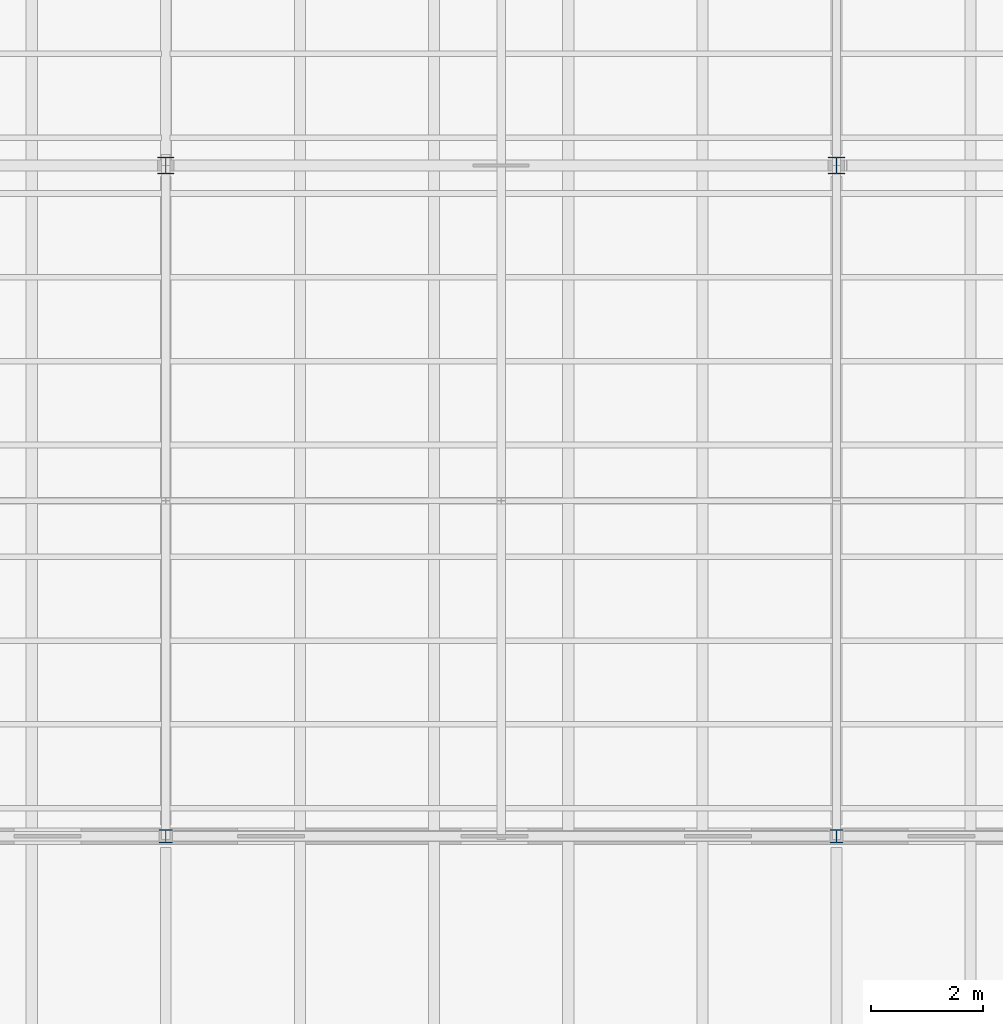
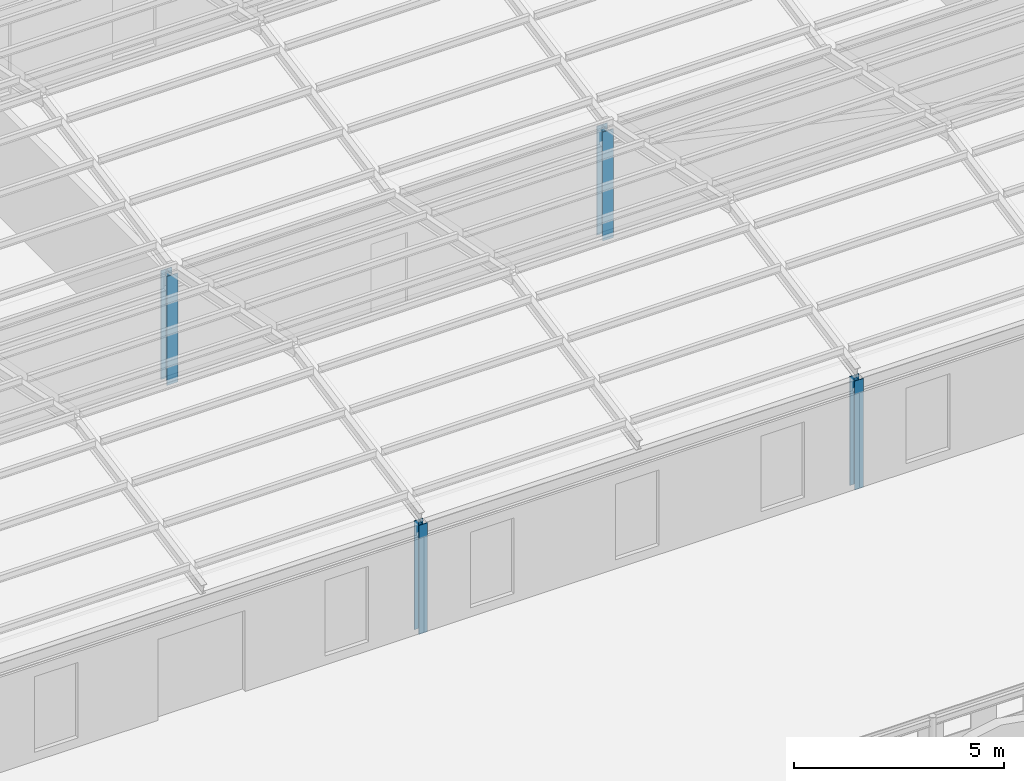
# One storey, part 2 of 91: 4 columns.
"""IFC4 building model written with IfcOpenShell, lengths in metres."""

from ifc_helpers import new_model, si_unit, direction, frame, origin, origin_2d, place, context, subcontext, project, spatial, i_section, extrude, material, material_profile, profile_set, type_object, element, save


model = new_model("IFC4")

# Units and contexts
model_context = context("Model", 3, precision=1e-05, world=origin(), true_north=direction((0.0, 1.0)))
body_context = subcontext(model_context, "Body", "Model", "MODEL_VIEW")
ifc_project = project(units=[si_unit("LENGTHUNIT", "METRE"), si_unit("AREAUNIT", "SQUARE_METRE"), si_unit("VOLUMEUNIT", "CUBIC_METRE"), si_unit("PLANEANGLEUNIT", "RADIAN"), si_unit("MASSUNIT", "GRAM", prefix="KILO")], contexts=[model_context])

# Site, building, storey
site_placement = place(None, origin())
site = spatial("IfcSite", under=ifc_project, at=site_placement, CompositionType="ELEMENT")
building_placement = place(site_placement, origin())
building = spatial("IfcBuilding", under=site, at=building_placement, Name="Ravi Spectrum Wholesale Market", CompositionType="ELEMENT")
storey_placement = place(building_placement, frame((0.0, 0.0, 16.199951171875)))
storey = spatial("IfcBuildingStorey", under=building, at=storey_placement, Name="ROOF PLANT LEVEL", CompositionType="ELEMENT", Elevation=16.199951171875)

# Columns
ifc_material_1 = material(Name="Steel S355", Category="steel")
ifc_material_profile_1 = material_profile(ifc_material_1, i_section(OverallWidth=0.239990234375, OverallDepth=0.239990234375, WebThickness=0.010009765625, FlangeThickness=0.01708984375, at=origin_2d()))
ifc_profile_set_1 = profile_set([ifc_material_profile_1], Name="Steel S355")
column_type_1 = type_object("IfcColumnType", Name="HEB 240 column", PredefinedType="COLUMN", material=ifc_profile_set_1)
for number, where, z_axis, x_axis, name in (
    (1, (246.0, 30.0, 0.0), (0.0, 0.0, 1.0), (1.0, 0.0, 0.0), "CS-COL-ROOF-010"),
    (2, (258.0, 30.0, 0.0), (0.0, 0.0, 1.0), (1.0, 0.0, 0.0), "CS-COL-ROOF-013"),
):
    element("IfcColumn", number, at=place(storey_placement, frame(where, z_axis=z_axis, x_axis=x_axis)), inside=storey, type_object=column_type_1, Name=name, PredefinedType="COLUMN", context=body_context, shape_type="SweptSolid", body=[
        extrude(i_section(OverallWidth=0.239990234375, OverallDepth=0.239990234375, WebThickness=0.010009765625, FlangeThickness=0.01708984375, at=origin_2d()), origin(), (0.0, 0.0, 1.0), 3.172119140625),
    ])
ifc_material_2 = material(Name="Steel S355", Category="steel")
ifc_material_profile_2 = material_profile(ifc_material_2, i_section(OverallWidth=0.300048828125, OverallDepth=0.300048828125, WebThickness=0.010986328125, FlangeThickness=0.01904296875, at=origin_2d()))
ifc_profile_set_2 = profile_set([ifc_material_profile_2], Name="Steel S355")
column_type_2 = type_object("IfcColumnType", Name="HEB 300 column", PredefinedType="COLUMN", material=ifc_profile_set_2)
for number, where, z_axis, x_axis, name in (
    (3, (246.0, 42.0, 0.0), (0.0, 0.0, 1.0), (1.0, 0.0, 0.0), "CS-COL-ROOF-011"),
    (4, (258.0, 42.0, 0.0), (0.0, 0.0, 1.0), (1.0, 0.0, 0.0), "CS-COL-ROOF-014"),
):
    element("IfcColumn", number, at=place(storey_placement, frame(where, z_axis=z_axis, x_axis=x_axis)), inside=storey, type_object=column_type_2, Name=name, PredefinedType="COLUMN", context=body_context, shape_type="SweptSolid", body=[
        extrude(i_section(OverallWidth=0.300048828125, OverallDepth=0.300048828125, WebThickness=0.010986328125, FlangeThickness=0.01904296875, at=origin_2d()), origin(), (0.0, 0.0, 1.0), 3.172119140625),
    ])

save(model, "model.ifc")
